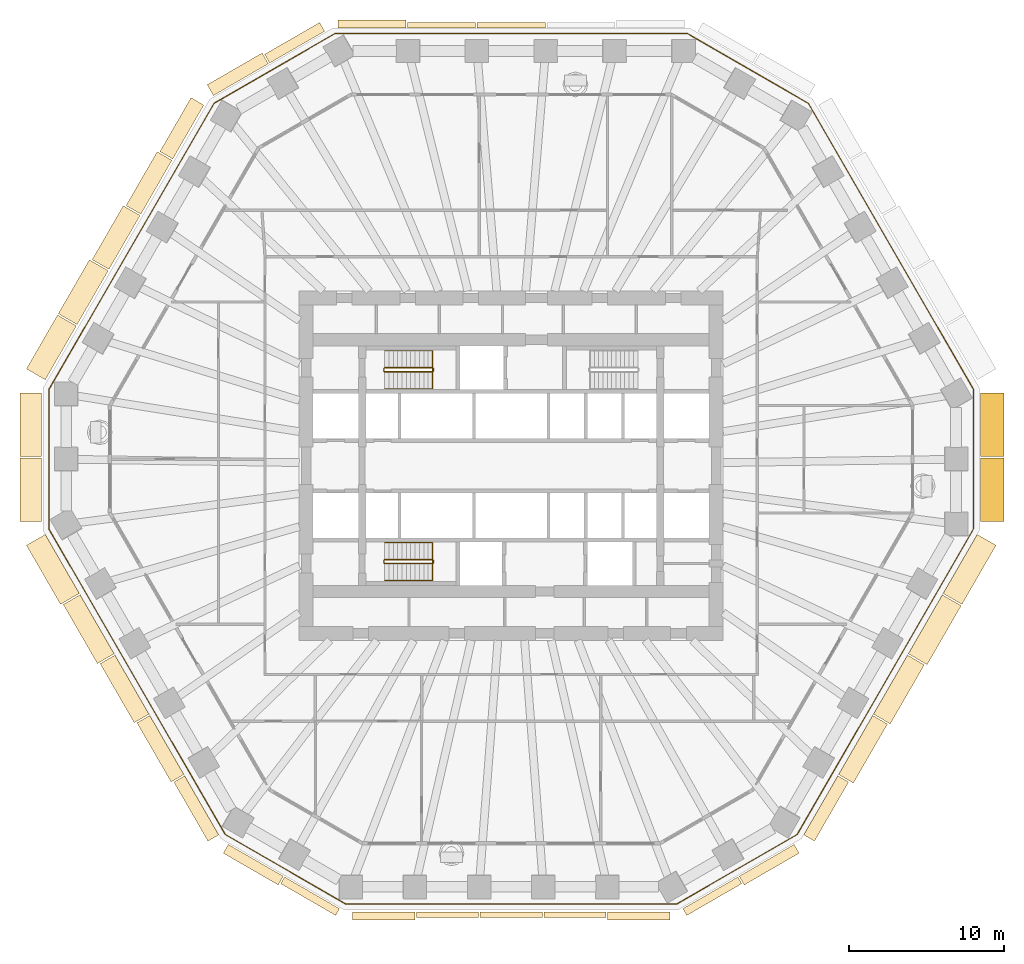
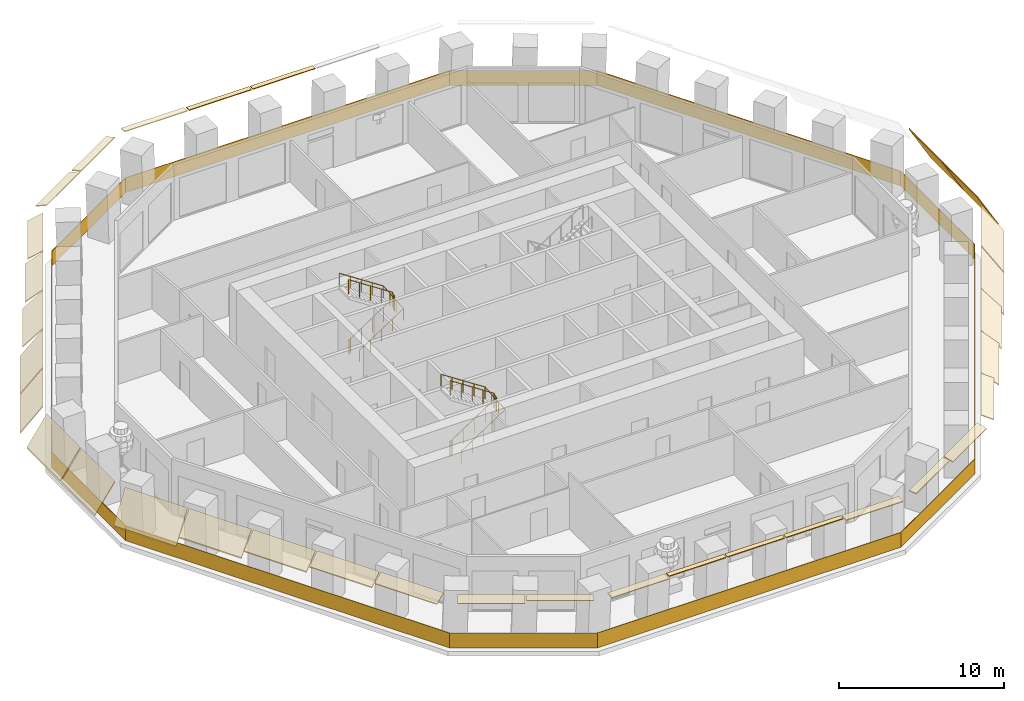
# One storey, part 10 of 13: 33 coverings, 5 railings.
"""IFC4 building model written with IfcOpenShell, lengths in metres."""

from ifc_helpers import new_model, si_unit, direction, frame, origin, origin_2d, place, context, subcontext, project, spatial, polyline, rectangle, circle, outline, extrude, material, layer, layer_set, type_object, element, save


model = new_model("IFC4")

# Units and contexts
model_context = context("Model", 3, precision=1e-05, world=origin(), true_north=direction((0.0, 1.0)))
body_context = subcontext(model_context, "Body", "Model", "MODEL_VIEW")
ifc_project = project(units=[si_unit("LENGTHUNIT", "METRE"), si_unit("AREAUNIT", "SQUARE_METRE"), si_unit("VOLUMEUNIT", "CUBIC_METRE"), si_unit("PLANEANGLEUNIT", "RADIAN"), si_unit("MASSUNIT", "GRAM", prefix="KILO")], contexts=[model_context])

# Site, building, storey
site_placement = place(None, origin())
site = spatial("IfcSite", under=ifc_project, at=site_placement, CompositionType="ELEMENT")
building_placement = place(site_placement, origin())
building = spatial("IfcBuilding", under=site, at=building_placement, Name="Frailejon Research Tower", CompositionType="ELEMENT")
storey_placement = place(building_placement, frame((0.0, 0.0, 27.800048828125)))
storey = spatial("IfcBuildingStorey", under=building, at=storey_placement, Name="L06", CompositionType="ELEMENT", Elevation=27.800048828125)

# Coverings
ifc_material_1 = material(Name="Precast concrete C50/60", Category="concrete")
ifc_layer_1 = layer(ifc_material_1, 0.06005859375)
ifc_layer_set_1 = layer_set([ifc_layer_1], Name="Brim blade depth 1100")
covering_type_1 = type_object("IfcCoveringType", Name="Brim blade depth 1100", PredefinedType="CLADDING", material=ifc_layer_set_1)
covering_1_placement = place(storey_placement, frame((-23.849853515625, 16.197021484375, 4.25), z_axis=(0.499993824204, 0.866028969353, 0.0), x_axis=(-0.866028969353, 0.499993824204, 0.0)))
element("IfcCovering", 1, at=covering_1_placement, inside=storey, type_object=covering_type_1, Name="Brim blade L06", PredefinedType="CLADDING", context=body_context, shape_type="SweptSolid", body=[
    extrude(outline(polyline([(0.0, -0.078369140625), (1.10009765625, -1.001220703125), (1.10009765625, -0.923095703125), (0.0, 0.0), (0.0, -0.078369140625)])), origin(), (0.0, 0.0, 1.0), 4.00439453125),
])
for number, where, z_axis, x_axis, name in (
    (2, (-23.324951171875, -15.999755859375, 4.25), (-0.50000023118, 0.866025270312, 0.0), (-0.866025270312, -0.50000023118, 0.0), "Brim blade L06"),
    (3, (23.27490234375, -16.08642578125, 4.25), (-0.50000023118, -0.866025270312, 0.0), (0.866025270312, -0.50000023118, 0.0), "Brim blade L06"),
):
    element("IfcCovering", number, at=place(storey_placement, frame(where, z_axis=z_axis, x_axis=x_axis)), inside=storey, type_object=covering_type_1, Name=name, PredefinedType="CLADDING", context=body_context, shape_type="SweptSolid", body=[
        extrude(outline(polyline([(0.0, -0.078369140625), (1.10009765625, -1.001220703125), (1.10009765625, -0.923095703125), (0.0, 0.0), (0.0, -0.078369140625)])), origin(), (0.0, 0.0, 1.0), 4.387451171875),
    ])
ifc_material_2 = material(Name="Precast concrete C50/60", Category="concrete")
ifc_layer_2 = layer(ifc_material_2, 0.06005859375)
ifc_layer_set_2 = layer_set([ifc_layer_2], Name="Brim blade depth 1250")
covering_type_2 = type_object("IfcCoveringType", Name="Brim blade depth 1250", PredefinedType="CLADDING", material=ifc_layer_set_2)
covering_2_placement = place(storey_placement, frame((-25.90185546875, 12.642578125, 4.25), z_axis=(0.50000437419, 0.86602287833, 0.0), x_axis=(-0.86602287833, 0.50000437419, 0.0)))
element("IfcCovering", 4, at=covering_2_placement, inside=storey, type_object=covering_type_2, Name="Brim blade L06", PredefinedType="CLADDING", context=body_context, shape_type="SweptSolid", body=[
    extrude(outline(polyline([(0.0, -0.0888671875), (1.25, -1.452880859375), (1.25, -1.364013671875), (0.0, 0.0), (0.0, -0.0888671875)])), origin(), (0.0, 0.0, 1.0), 4.004150390625),
])
for number, where, z_axis, x_axis, name in (
    (5, (-25.568603515625, -12.113525390625, 4.25), (-0.50000023118, 0.866025270312, 0.0), (-0.866025270312, -0.50000023118, 0.0), "Brim blade L06"),
    (6, (25.518798828125, -12.2001953125, 4.25), (-0.50000023118, -0.866025270312, 0.0), (0.866025270312, -0.50000023118, 0.0), "Brim blade L06"),
):
    element("IfcCovering", number, at=place(storey_placement, frame(where, z_axis=z_axis, x_axis=x_axis)), inside=storey, type_object=covering_type_2, Name=name, PredefinedType="CLADDING", context=body_context, shape_type="SweptSolid", body=[
        extrude(outline(polyline([(0.0, -0.0888671875), (1.25, -1.452880859375), (1.25, -1.364013671875), (0.0, 0.0), (0.0, -0.0888671875)])), origin(), (0.0, 0.0, 1.0), 4.387451171875),
    ])
ifc_material_3 = material(Name="Precast concrete C50/60", Category="concrete")
ifc_layer_3 = layer(ifc_material_3, 0.06005859375)
ifc_layer_set_3 = layer_set([ifc_layer_3], Name="Brim blade depth 1400")
covering_type_3 = type_object("IfcCoveringType", Name="Brim blade depth 1400", PredefinedType="CLADDING", material=ifc_layer_set_3)
covering_3_placement = place(storey_placement, frame((-27.9541015625, 9.08837890625, 4.25), z_axis=(0.499993824204, 0.866028969353, 0.0), x_axis=(-0.866028969353, 0.499993824204, 0.0)))
element("IfcCovering", 7, at=covering_3_placement, inside=storey, type_object=covering_type_3, Name="Brim blade L06", PredefinedType="CLADDING", context=body_context, shape_type="SweptSolid", body=[
    extrude(outline(polyline([(0.0, -0.1044921875), (1.39990234375, -2.10400390625), (1.39990234375, -1.99951171875), (0.0, 0.0), (0.0, -0.1044921875)])), origin(), (0.0, 0.0, 1.0), 4.00439453125),
])
covering_4_placement = place(storey_placement, frame((-30.006103515625, 5.533935546875, 4.25), z_axis=(0.50000437419, 0.86602287833, 0.0), x_axis=(-0.86602287833, 0.50000437419, 0.0)))
element("IfcCovering", 8, at=covering_4_placement, inside=storey, type_object=covering_type_3, Name="Brim blade L06", PredefinedType="CLADDING", context=body_context, shape_type="SweptSolid", body=[
    extrude(outline(polyline([(0.0, -0.1044921875), (1.39990234375, -2.10400390625), (1.39990234375, -1.99951171875), (0.0, 0.0), (0.0, -0.1044921875)])), origin(), (0.0, 0.0, 1.0), 4.004150390625),
])
for number, where, z_axis, x_axis, name in (
    (9, (-30.232177734375, 0.60302734375, 4.25), (0.0, 1.0, 0.0), (-1.0, 0.0, 0.0), "Brim blade L06"),
    (10, (-30.232177734375, -3.58447265625, 4.25), (0.0, 1.0, 0.0), (-1.0, 0.0, 0.0), "Brim blade L06"),
):
    element("IfcCovering", number, at=place(storey_placement, frame(where, z_axis=z_axis, x_axis=x_axis)), inside=storey, type_object=covering_type_3, Name=name, PredefinedType="CLADDING", context=body_context, shape_type="SweptSolid", body=[
        extrude(outline(polyline([(0.0, -0.1044921875), (1.39990234375, -2.10400390625), (1.39990234375, -1.99951171875), (0.0, 0.0), (0.0, -0.1044921875)])), origin(), (0.0, 0.0, 1.0), 4.087646484375),
    ])
for number, where, z_axis, x_axis, name in (
    (11, (-27.8125, -8.227294921875, 4.25), (-0.50000023118, 0.866025270312, 0.0), (-0.866025270312, -0.50000023118, 0.0), "Brim blade L06"),
    (12, (27.762451171875, -8.31396484375, 4.25), (-0.50000023118, -0.866025270312, 0.0), (0.866025270312, -0.50000023118, 0.0), "Brim blade L06"),
    (13, (30.006103515625, -4.427734375, 4.25), (-0.50000023118, -0.866025270312, 0.0), (0.866025270312, -0.50000023118, 0.0), "Brim blade L06"),
):
    element("IfcCovering", number, at=place(storey_placement, frame(where, z_axis=z_axis, x_axis=x_axis)), inside=storey, type_object=covering_type_3, Name=name, PredefinedType="CLADDING", context=body_context, shape_type="SweptSolid", body=[
        extrude(outline(polyline([(0.0, -0.1044921875), (1.39990234375, -2.10400390625), (1.39990234375, -1.99951171875), (0.0, 0.0), (0.0, -0.1044921875)])), origin(), (0.0, 0.0, 1.0), 4.387451171875),
    ])
ifc_material_4 = material(Name="Precast concrete C50/60", Category="concrete")
ifc_layer_4 = layer(ifc_material_4, 0.06005859375)
ifc_layer_set_4 = layer_set([ifc_layer_4], Name="Brim blade depth 1500")
covering_type_4 = type_object("IfcCoveringType", Name="Brim blade depth 1500", PredefinedType="CLADDING", material=ifc_layer_set_4)
for number, where, z_axis, x_axis, name in (
    (14, (30.232177734375, 0.503173828125, 4.25), (0.0, -1.0, 0.0), (1.0, 0.0, 0.0), "Brim blade L06"),
    (15, (30.232177734375, 4.690673828125, 4.25), (0.0, -1.0, 0.0), (1.0, 0.0, 0.0), "Brim blade L06"),
):
    element("IfcCovering", number, at=place(storey_placement, frame(where, z_axis=z_axis, x_axis=x_axis)), inside=storey, type_object=covering_type_4, Name=name, PredefinedType="CLADDING", context=body_context, shape_type="SweptSolid", body=[
        extrude(outline(polyline([(0.0, -0.1201171875), (1.5, -2.718017578125), (1.5, -2.59814453125), (0.0, 0.0), (0.0, -0.1201171875)])), origin(), (0.0, 0.0, 1.0), 4.087646484375),
    ])
ifc_material_5 = material(Name="Precast concrete C50/60", Category="concrete")
ifc_layer_5 = layer(ifc_material_5, 0.06005859375)
ifc_layer_set_5 = layer_set([ifc_layer_5], Name="Brim blade depth 350")
covering_type_5 = type_object("IfcCoveringType", Name="Brim blade depth 350", PredefinedType="CLADDING", material=ifc_layer_set_5)
for number, where, z_axis, x_axis, name in (
    (16, (-2.193603515625, 28.199951171875, 4.25), (1.0, 0.0, 0.0), (0.0, 1.0, 0.0), "Brim blade L06"),
    (17, (-6.68115234375, 28.199951171875, 4.25), (1.0, 0.0, 0.0), (0.0, 1.0, 0.0), "Brim blade L06"),
):
    element("IfcCovering", number, at=place(storey_placement, frame(where, z_axis=z_axis, x_axis=x_axis)), inside=storey, type_object=covering_type_5, Name=name, PredefinedType="CLADDING", context=body_context, shape_type="SweptSolid", body=[
        extrude(outline(polyline([(0.0, -0.06005859375), (0.35009765625, -0.06005859375), (0.35009765625, 0.0), (0.0, 0.0), (0.0, -0.06005859375)])), origin(), (0.0, 0.0, 1.0), 4.387451171875),
    ])
for number, where, z_axis, x_axis, name in (
    (18, (-2.10205078125, -28.753173828125, 4.25), (-1.0, 0.0, 0.0), (0.0, -1.0, 0.0), "Brim blade L06"),
    (19, (2.002197265625, -28.753173828125, 4.25), (-1.0, 0.0, 0.0), (0.0, -1.0, 0.0), "Brim blade L06"),
    (20, (6.106201171875, -28.753173828125, 4.25), (-1.0, 0.0, 0.0), (0.0, -1.0, 0.0), "Brim blade L06"),
):
    element("IfcCovering", number, at=place(storey_placement, frame(where, z_axis=z_axis, x_axis=x_axis)), inside=storey, type_object=covering_type_5, Name=name, PredefinedType="CLADDING", context=body_context, shape_type="SweptSolid", body=[
        extrude(outline(polyline([(0.0, -0.06005859375), (0.35009765625, -0.06005859375), (0.35009765625, 0.0), (0.0, 0.0), (0.0, -0.06005859375)])), origin(), (0.0, 0.0, 1.0), 4.004150390625),
    ])
ifc_material_6 = material(Name="Precast concrete C50/60", Category="concrete")
ifc_layer_6 = layer(ifc_material_6, 0.06005859375)
ifc_layer_set_6 = layer_set([ifc_layer_6], Name="Brim blade depth 500")
covering_type_6 = type_object("IfcCoveringType", Name="Brim blade depth 500", PredefinedType="CLADDING", material=ifc_layer_set_6)
covering_5_placement = place(storey_placement, frame((-11.16845703125, 28.199951171875, 4.25), z_axis=(1.0, 0.0, 0.0), x_axis=(0.0, 1.0, 0.0)))
element("IfcCovering", 21, at=covering_5_placement, inside=storey, type_object=covering_type_6, Name="Brim blade L06", PredefinedType="CLADDING", context=body_context, shape_type="SweptSolid", body=[
    extrude(outline(polyline([(0.0, -0.060546875), (0.5, -0.130859375), (0.5, -0.0703125), (0.0, 0.0), (0.0, -0.060546875)])), origin(), (0.0, 0.0, 1.0), 4.387451171875),
])
covering_6_placement = place(storey_placement, frame((-11.0537109375, -28.527099609375, 4.25), z_axis=(-0.866027315287, 0.499996689166, 0.0), x_axis=(-0.499996689166, -0.866027315287, 0.0)))
element("IfcCovering", 22, at=covering_6_placement, inside=storey, type_object=covering_type_6, Name="Brim blade L06", PredefinedType="CLADDING", context=body_context, shape_type="SweptSolid", body=[
    extrude(outline(polyline([(0.0, -0.060546875), (0.5, -0.130859375), (0.5, -0.0703125), (0.0, 0.0), (0.0, -0.060546875)])), origin(), (0.0, 0.0, 1.0), 4.087646484375),
])
for number, where, z_axis, x_axis, name in (
    (23, (-6.206298828125, -28.753173828125, 4.25), (-1.0, 0.0, 0.0), (0.0, -1.0, 0.0), "Brim blade L06"),
    (24, (10.21044921875, -28.753173828125, 4.25), (-1.0, 0.0, 0.0), (0.0, -1.0, 0.0), "Brim blade L06"),
):
    element("IfcCovering", number, at=place(storey_placement, frame(where, z_axis=z_axis, x_axis=x_axis)), inside=storey, type_object=covering_type_6, Name=name, PredefinedType="CLADDING", context=body_context, shape_type="SweptSolid", body=[
        extrude(outline(polyline([(0.0, -0.060546875), (0.5, -0.130859375), (0.5, -0.0703125), (0.0, 0.0), (0.0, -0.060546875)])), origin(), (0.0, 0.0, 1.0), 4.004150390625),
    ])
covering_7_placement = place(storey_placement, frame((14.59375, -26.4833984375, 4.25), z_axis=(-0.866027315287, -0.499996689166, 0.0), x_axis=(0.499996689166, -0.866027315287, 0.0)))
element("IfcCovering", 25, at=covering_7_placement, inside=storey, type_object=covering_type_6, Name="Brim blade L06", PredefinedType="CLADDING", context=body_context, shape_type="SweptSolid", body=[
    extrude(outline(polyline([(0.0, -0.060546875), (0.5, -0.130859375), (0.5, -0.0703125), (0.0, 0.0), (0.0, -0.060546875)])), origin(), (0.0, 0.0, 1.0), 4.087646484375),
])
ifc_material_7 = material(Name="Precast concrete C50/60", Category="concrete")
ifc_layer_7 = layer(ifc_material_7, 0.06005859375)
ifc_layer_set_7 = layer_set([ifc_layer_7], Name="Brim blade depth 650")
covering_type_7 = type_object("IfcCoveringType", Name="Brim blade depth 650", PredefinedType="CLADDING", material=ifc_layer_set_7)
covering_8_placement = place(storey_placement, frame((-15.5517578125, 25.93017578125, 4.25), z_axis=(0.866027315287, 0.499996689166, 0.0), x_axis=(-0.499996689166, 0.866027315287, 0.0)))
element("IfcCovering", 26, at=covering_8_placement, inside=storey, type_object=covering_type_7, Name="Brim blade L06", PredefinedType="CLADDING", context=body_context, shape_type="SweptSolid", body=[
    extrude(outline(polyline([(0.0, -0.0625), (0.64990234375, -0.248779296875), (0.64990234375, -0.186279296875), (0.0, 0.0), (0.0, -0.0625)])), origin(), (0.0, 0.0, 1.0), 4.087646484375),
])
for number, where, z_axis, x_axis, name in (
    (27, (-14.680419921875, -26.433349609375, 4.25), (-0.866021344981, 0.500007029989, 0.0), (-0.500007029989, -0.866021344981, 0.0), "Brim blade L06"),
    (28, (18.22021484375, -24.389404296875, 4.25), (-0.866021344981, -0.500007029989, 0.0), (0.500007029989, -0.866021344981, 0.0), "Brim blade L06"),
):
    element("IfcCovering", number, at=place(storey_placement, frame(where, z_axis=z_axis, x_axis=x_axis)), inside=storey, type_object=covering_type_7, Name=name, PredefinedType="CLADDING", context=body_context, shape_type="SweptSolid", body=[
        extrude(outline(polyline([(0.0, -0.0625), (0.64990234375, -0.248779296875), (0.64990234375, -0.186279296875), (0.0, 0.0), (0.0, -0.0625)])), origin(), (0.0, 0.0, 1.0), 4.08740234375),
    ])
ifc_material_8 = material(Name="Precast concrete C50/60", Category="concrete")
ifc_layer_8 = layer(ifc_material_8, 0.06005859375)
ifc_layer_set_8 = layer_set([ifc_layer_8], Name="Brim blade depth 800")
covering_type_8 = type_object("IfcCoveringType", Name="Brim blade depth 800", PredefinedType="CLADDING", material=ifc_layer_set_8)
covering_9_placement = place(storey_placement, frame((-19.17822265625, 23.83642578125, 4.25), z_axis=(0.866021344981, 0.500007029989, 0.0), x_axis=(-0.500007029989, 0.866021344981, 0.0)))
element("IfcCovering", 29, at=covering_9_placement, inside=storey, type_object=covering_type_8, Name="Brim blade L06", PredefinedType="CLADDING", context=body_context, shape_type="SweptSolid", body=[
    extrude(outline(polyline([(0.0, -0.065673828125), (0.800048828125, -0.421875), (0.800048828125, -0.356201171875), (0.0, 0.0), (0.0, -0.065673828125)])), origin(), (0.0, 0.0, 1.0), 4.08740234375),
])
for number, where, z_axis, x_axis, name in (
    (30, (-18.837646484375, -23.772216796875, 4.25), (-0.50000023118, 0.866025270312, 0.0), (-0.866025270312, -0.50000023118, 0.0), "Brim blade L06"),
    (31, (21.03125, -19.97265625, 4.25), (-0.50000023118, -0.866025270312, 0.0), (0.866025270312, -0.50000023118, 0.0), "Brim blade L06"),
):
    element("IfcCovering", number, at=place(storey_placement, frame(where, z_axis=z_axis, x_axis=x_axis)), inside=storey, type_object=covering_type_8, Name=name, PredefinedType="CLADDING", context=body_context, shape_type="SweptSolid", body=[
        extrude(outline(polyline([(0.0, -0.065673828125), (0.800048828125, -0.421875), (0.800048828125, -0.356201171875), (0.0, 0.0), (0.0, -0.065673828125)])), origin(), (0.0, 0.0, 1.0), 4.387451171875),
    ])
ifc_material_9 = material(Name="Precast concrete C50/60", Category="concrete")
ifc_layer_9 = layer(ifc_material_9, 0.06005859375)
ifc_layer_set_9 = layer_set([ifc_layer_9], Name="Brim blade depth 950")
covering_type_9 = type_object("IfcCoveringType", Name="Brim blade depth 950", PredefinedType="CLADDING", material=ifc_layer_set_9)
covering_10_placement = place(storey_placement, frame((-21.797607421875, 19.75146484375, 4.25), z_axis=(0.50000437419, 0.86602287833, 0.0), x_axis=(-0.86602287833, 0.50000437419, 0.0)))
element("IfcCovering", 32, at=covering_10_placement, inside=storey, type_object=covering_type_9, Name="Brim blade L06", PredefinedType="CLADDING", context=body_context, shape_type="SweptSolid", body=[
    extrude(outline(polyline([(0.0, -0.07080078125), (0.949951171875, -0.664306640625), (0.949951171875, -0.593505859375), (0.0, 0.0), (0.0, -0.07080078125)])), origin(), (0.0, 0.0, 1.0), 4.004150390625),
])
covering_11_placement = place(storey_placement, frame((-21.081298828125, -19.885986328125, 4.25), z_axis=(-0.50000023118, 0.866025270312, 0.0), x_axis=(-0.866025270312, -0.50000023118, 0.0)))
element("IfcCovering", 33, at=covering_11_placement, inside=storey, type_object=covering_type_9, Name="Brim blade L06", PredefinedType="CLADDING", context=body_context, shape_type="SweptSolid", body=[
    extrude(outline(polyline([(0.0, -0.07080078125), (0.949951171875, -0.664306640625), (0.949951171875, -0.593505859375), (0.0, 0.0), (0.0, -0.07080078125)])), origin(), (0.0, 0.0, 1.0), 4.387451171875),
])

# Railings
ifc_material_10 = material(Name="Laminated glass balustrade", Category="glass")
railing_type_1 = type_object("IfcRailingType", Name="Glass guard 1100", PredefinedType="GUARDRAIL", material=ifc_material_10)
railing_1_placement = place(storey_placement, frame((29.773193359375, -4.072998046875, 0.0)))
element("IfcRailing", 34, at=railing_1_placement, inside=storey, type_object=railing_type_1, Name="Loggia guard L06", PredefinedType="GUARDRAIL", context=body_context, shape_type="SweptSolid", body=[
    extrude(rectangle(XDim=8.9755859375, YDim=0.030029296875, at=origin_2d()), frame((0.0, 4.48779296875, 0.0), z_axis=(0.0, 0.0, 1.0), x_axis=(0.0, 1.0, 0.0)), (0.0, 0.0, 1.0), 1.10009765625),
    extrude(rectangle(XDim=21.28173828125, YDim=0.030029296875, at=origin_2d()), frame((-5.3203125, 18.19091796875, 0.0), z_axis=(0.0, 0.0, 1.0), x_axis=(-0.500002158106, 0.866024157798, 0.0)), (0.0, 0.0, 1.0), 1.10009765625),
    extrude(rectangle(XDim=8.9755859375, YDim=0.030029296875, at=origin_2d()), frame((-14.52734375, 29.64990234375, 0.0), z_axis=(0.0, 0.0, 1.0), x_axis=(-0.866028409771, 0.499994793442, 0.0)), (0.0, 0.0, 1.0), 1.10009765625),
    extrude(rectangle(XDim=22.71826171875, YDim=0.030029296875, at=origin_2d()), frame((-29.773193359375, 31.893798828125, 0.0), z_axis=(0.0, 0.0, 1.0), x_axis=(-1.0, 0.0, 0.0)), (0.0, 0.0, 1.0), 1.10009765625),
    extrude(rectangle(XDim=8.9755859375, YDim=0.030029296875, at=origin_2d()), frame((-45.01904296875, 29.64990234375, 0.0), z_axis=(0.0, 0.0, 1.0), x_axis=(-0.866028409771, -0.499994793442, 0.0)), (0.0, 0.0, 1.0), 1.10009765625),
    extrude(rectangle(XDim=21.28173828125, YDim=0.030029296875, at=origin_2d()), frame((-54.22607421875, 18.19091796875, 0.0), z_axis=(0.0, 0.0, 1.0), x_axis=(-0.500002158106, -0.866024157798, 0.0)), (0.0, 0.0, 1.0), 1.10009765625),
    extrude(rectangle(XDim=8.9755859375, YDim=0.030029296875, at=origin_2d()), frame((-59.54638671875, 4.48779296875, 0.0), z_axis=(0.0, 0.0, 1.0), x_axis=(0.0, -1.0, 0.0)), (0.0, 0.0, 1.0), 1.10009765625),
    extrude(rectangle(XDim=22.718505859375, YDim=0.030029296875, at=origin_2d()), frame((-53.86669921875, -9.83740234375, 0.0), z_axis=(0.0, 0.0, 1.0), x_axis=(0.500004001702, -0.866023093388, 0.0)), (0.0, 0.0, 1.0), 1.10009765625),
    extrude(rectangle(XDim=8.9755859375, YDim=0.030029296875, at=origin_2d()), frame((-44.30029296875, -21.918701171875, 0.0), z_axis=(0.0, 0.0, 1.0), x_axis=(0.866028409771, -0.499994793442, 0.0)), (0.0, 0.0, 1.0), 1.10009765625),
    extrude(rectangle(XDim=21.28125, YDim=0.030029296875, at=origin_2d()), frame((-29.773193359375, -24.16259765625, 0.0), z_axis=(0.0, 0.0, 1.0), x_axis=(1.0, 0.0, 0.0)), (0.0, 0.0, 1.0), 1.10009765625),
    extrude(rectangle(XDim=8.9755859375, YDim=0.030029296875, at=origin_2d()), frame((-15.24609375, -21.918701171875, 0.0), z_axis=(0.0, 0.0, 1.0), x_axis=(0.866028409771, 0.499994793442, 0.0)), (0.0, 0.0, 1.0), 1.10009765625),
    extrude(rectangle(XDim=22.6484375, YDim=0.030029296875, at=origin_2d()), frame((-5.697265625, -9.86767578125, 0.0), z_axis=(0.0, 0.0, 1.0), x_axis=(0.500002075536, 0.86602420547, 0.0)), (0.0, 0.0, 1.0), 1.10009765625),
])
ifc_material_11 = material(Name="Stainless steel", Category="steel")
railing_type_2 = type_object("IfcRailingType", Name="Stair guard 1100", PredefinedType="GUARDRAIL", material=ifc_material_11)
railing_2_placement = place(storey_placement, frame((-8.199951171875, 6.25, 0.0)))
element("IfcRailing", 35, at=railing_2_placement, inside=storey, type_object=railing_type_2, Name="L06 ST1 stair guard 1", PredefinedType="GUARDRAIL", context=body_context, shape_type="SweptSolid", body=[
    extrude(circle(Radius=0.02392578125, at=origin_2d()), frame((0.0, 0.0, 1.076171875), z_axis=(0.0, -1.0, 0.0), x_axis=(1.0, 0.0, 0.0)), (0.0, 0.0, 1.0), 0.14990234375),
    extrude(circle(Radius=0.02392578125, at=origin_2d()), frame((0.0, -0.14990234375, 1.076171875), z_axis=(0.254653276557, -0.254653276557, 0.932900539971), x_axis=(0.707106781187, 0.707106781187, 0.0)), (0.0, 0.0, 1.0), 0.196533203125),
    extrude(circle(Radius=0.02392578125, at=origin_2d()), frame((0.050048828125, -0.199951171875, 1.25927734375), z_axis=(0.836613101238, 0.0, 0.547794230379), x_axis=(0.0, 1.0, 0.0)), (0.0, 0.0, 1.0), 3.681396484375),
    extrude(circle(Radius=0.02392578125, at=origin_2d()), frame((3.1298828125, -0.199951171875, 3.27587890625), z_axis=(0.707106781187, 0.707106781187, 0.0), x_axis=(-0.707106781187, 0.707106781187, 0.0)), (0.0, 0.0, 1.0), 0.07080078125),
    extrude(circle(Radius=0.02392578125, at=origin_2d()), frame((3.179931640625, -0.14990234375, 3.27587890625), z_axis=(0.0, 1.0, 0.0), x_axis=(-1.0, 0.0, 0.0)), (0.0, 0.0, 1.0), 0.14990234375),
    extrude(circle(Radius=0.02392578125, at=origin_2d()), frame((3.179931640625, 0.0, 3.27587890625), z_axis=(-0.254653276557, 0.254653276557, 0.932900539971), x_axis=(-0.707106781187, -0.707106781187, 0.0)), (0.0, 0.0, 1.0), 0.196533203125),
    extrude(circle(Radius=0.02392578125, at=origin_2d()), frame((3.1298828125, 0.050048828125, 3.45947265625), z_axis=(-0.836613101238, 0.0, 0.547794230379), x_axis=(0.0, -1.0, 0.0)), (0.0, 0.0, 1.0), 3.681396484375),
    extrude(circle(Radius=0.02099609375, at=origin_2d()), origin(), (0.0, 0.0, 1.0), 1.052001953125),
    extrude(circle(Radius=0.02099609375, at=origin_2d()), frame((0.0, -0.14990234375, 0.0)), (0.0, 0.0, 1.0), 1.052001953125),
    extrude(circle(Radius=0.02099609375, at=origin_2d()), frame((0.050048828125, -0.199951171875, 0.183349609375)), (0.0, 0.0, 1.0), 1.052001953125),
    extrude(circle(Radius=0.02099609375, at=origin_2d()), frame((0.820068359375, -0.199951171875, 0.6875)), (0.0, 0.0, 1.0), 1.052001953125),
    extrude(circle(Radius=0.02099609375, at=origin_2d()), frame((1.58984375, -0.199951171875, 1.191650390625)), (0.0, 0.0, 1.0), 1.052001953125),
    extrude(circle(Radius=0.02099609375, at=origin_2d()), frame((2.35986328125, -0.199951171875, 1.69580078125)), (0.0, 0.0, 1.0), 1.052001953125),
    extrude(circle(Radius=0.02099609375, at=origin_2d()), frame((3.1298828125, -0.199951171875, 2.199951171875)), (0.0, 0.0, 1.0), 1.052001953125),
    extrude(circle(Radius=0.02099609375, at=origin_2d()), frame((3.179931640625, -0.14990234375, 2.199951171875)), (0.0, 0.0, 1.0), 1.052001953125),
    extrude(circle(Radius=0.02099609375, at=origin_2d()), frame((3.179931640625, 0.0, 2.199951171875)), (0.0, 0.0, 1.0), 1.052001953125),
    extrude(circle(Radius=0.02099609375, at=origin_2d()), frame((3.1298828125, 0.050048828125, 2.38330078125)), (0.0, 0.0, 1.0), 1.052001953125),
    extrude(circle(Radius=0.02099609375, at=origin_2d()), frame((2.35986328125, 0.050048828125, 2.887451171875)), (0.0, 0.0, 1.0), 1.052001953125),
    extrude(circle(Radius=0.02099609375, at=origin_2d()), frame((1.58984375, 0.050048828125, 3.3916015625)), (0.0, 0.0, 1.0), 1.052001953125),
    extrude(circle(Radius=0.02099609375, at=origin_2d()), frame((0.820068359375, 0.050048828125, 3.895751953125)), (0.0, 0.0, 1.0), 1.052001953125),
    extrude(circle(Radius=0.02099609375, at=origin_2d()), frame((0.050048828125, 0.050048828125, 4.39990234375)), (0.0, 0.0, 1.0), 1.052001953125),
])
railing_3_placement = place(storey_placement, frame((-8.199951171875, -6.10009765625, 0.0)))
element("IfcRailing", 36, at=railing_3_placement, inside=storey, type_object=railing_type_2, Name="L06 ST2 stair guard 1", PredefinedType="GUARDRAIL", context=body_context, shape_type="SweptSolid", body=[
    extrude(circle(Radius=0.02392578125, at=origin_2d()), frame((0.0, 0.0, 1.076171875), z_axis=(0.0, -1.0, 0.0), x_axis=(1.0, 0.0, 0.0)), (0.0, 0.0, 1.0), 0.14990234375),
    extrude(circle(Radius=0.02392578125, at=origin_2d()), frame((0.0, -0.14990234375, 1.076171875), z_axis=(0.254653276557, -0.254653276557, 0.932900539971), x_axis=(0.707106781187, 0.707106781187, 0.0)), (0.0, 0.0, 1.0), 0.196533203125),
    extrude(circle(Radius=0.02392578125, at=origin_2d()), frame((0.050048828125, -0.199951171875, 1.25927734375), z_axis=(0.836613101238, 0.0, 0.547794230379), x_axis=(0.0, 1.0, 0.0)), (0.0, 0.0, 1.0), 3.681396484375),
    extrude(circle(Radius=0.02392578125, at=origin_2d()), frame((3.1298828125, -0.199951171875, 3.27587890625), z_axis=(0.707106781187, 0.707106781187, 0.0), x_axis=(-0.707106781187, 0.707106781187, 0.0)), (0.0, 0.0, 1.0), 0.07080078125),
    extrude(circle(Radius=0.02392578125, at=origin_2d()), frame((3.179931640625, -0.14990234375, 3.27587890625), z_axis=(0.0, 1.0, 0.0), x_axis=(-1.0, 0.0, 0.0)), (0.0, 0.0, 1.0), 0.14990234375),
    extrude(circle(Radius=0.02392578125, at=origin_2d()), frame((3.179931640625, 0.0, 3.27587890625), z_axis=(-0.254653276557, 0.254653276557, 0.932900539971), x_axis=(-0.707106781187, -0.707106781187, 0.0)), (0.0, 0.0, 1.0), 0.196533203125),
    extrude(circle(Radius=0.02392578125, at=origin_2d()), frame((3.1298828125, 0.050048828125, 3.45947265625), z_axis=(-0.836613101238, 0.0, 0.547794230379), x_axis=(0.0, -1.0, 0.0)), (0.0, 0.0, 1.0), 3.681396484375),
    extrude(circle(Radius=0.02099609375, at=origin_2d()), origin(), (0.0, 0.0, 1.0), 1.052001953125),
    extrude(circle(Radius=0.02099609375, at=origin_2d()), frame((0.0, -0.14990234375, 0.0)), (0.0, 0.0, 1.0), 1.052001953125),
    extrude(circle(Radius=0.02099609375, at=origin_2d()), frame((0.050048828125, -0.199951171875, 0.183349609375)), (0.0, 0.0, 1.0), 1.052001953125),
    extrude(circle(Radius=0.02099609375, at=origin_2d()), frame((0.820068359375, -0.199951171875, 0.6875)), (0.0, 0.0, 1.0), 1.052001953125),
    extrude(circle(Radius=0.02099609375, at=origin_2d()), frame((1.58984375, -0.199951171875, 1.191650390625)), (0.0, 0.0, 1.0), 1.052001953125),
    extrude(circle(Radius=0.02099609375, at=origin_2d()), frame((2.35986328125, -0.199951171875, 1.69580078125)), (0.0, 0.0, 1.0), 1.052001953125),
    extrude(circle(Radius=0.02099609375, at=origin_2d()), frame((3.1298828125, -0.199951171875, 2.199951171875)), (0.0, 0.0, 1.0), 1.052001953125),
    extrude(circle(Radius=0.02099609375, at=origin_2d()), frame((3.179931640625, -0.14990234375, 2.199951171875)), (0.0, 0.0, 1.0), 1.052001953125),
    extrude(circle(Radius=0.02099609375, at=origin_2d()), frame((3.179931640625, 0.0, 2.199951171875)), (0.0, 0.0, 1.0), 1.052001953125),
    extrude(circle(Radius=0.02099609375, at=origin_2d()), frame((3.1298828125, 0.050048828125, 2.38330078125)), (0.0, 0.0, 1.0), 1.052001953125),
    extrude(circle(Radius=0.02099609375, at=origin_2d()), frame((2.35986328125, 0.050048828125, 2.887451171875)), (0.0, 0.0, 1.0), 1.052001953125),
    extrude(circle(Radius=0.02099609375, at=origin_2d()), frame((1.58984375, 0.050048828125, 3.3916015625)), (0.0, 0.0, 1.0), 1.052001953125),
    extrude(circle(Radius=0.02099609375, at=origin_2d()), frame((0.820068359375, 0.050048828125, 3.895751953125)), (0.0, 0.0, 1.0), 1.052001953125),
    extrude(circle(Radius=0.02099609375, at=origin_2d()), frame((0.050048828125, 0.050048828125, 4.39990234375)), (0.0, 0.0, 1.0), 1.052001953125),
])
ifc_material_12 = material(Name="Stainless steel", Category="steel")
railing_type_3 = type_object("IfcRailingType", Name="Stair handrail 900", PredefinedType="HANDRAIL", material=ifc_material_12)
railing_4_placement = place(storey_placement, frame((-8.14990234375, 4.949951171875, 0.183349609375)))
element("IfcRailing", 37, at=railing_4_placement, inside=storey, type_object=railing_type_3, Name="L06 ST1 stair handrail 1", PredefinedType="HANDRAIL", context=body_context, shape_type="SweptSolid", body=[
    extrude(circle(Radius=0.02392578125, at=origin_2d()), frame((0.0, 0.0, 0.8759765625), z_axis=(0.836613101238, 0.0, 0.547794230379), x_axis=(0.0, 1.0, 0.0)), (0.0, 0.0, 1.0), 3.681396484375),
    extrude(circle(Radius=0.02392578125, at=origin_2d()), frame((3.079833984375, 0.0, 2.892578125), z_axis=(0.0, 0.99721134034, 0.074629368868), x_axis=(-1.0, 0.0, 0.0)), (0.0, 0.0, 1.0), 2.456787109375),
    extrude(circle(Radius=0.02392578125, at=origin_2d()), frame((3.079833984375, 2.449951171875, 3.07568359375), z_axis=(-0.836613101238, 0.0, 0.547794230379), x_axis=(0.0, -1.0, 0.0)), (0.0, 0.0, 1.0), 3.681396484375),
    extrude(circle(Radius=0.02099609375, at=origin_2d()), origin(), (0.0, 0.0, 1.0), 0.851806640625),
    extrude(circle(Radius=0.02099609375, at=origin_2d()), frame((0.77001953125, 0.0, 0.504150390625)), (0.0, 0.0, 1.0), 0.851806640625),
    extrude(circle(Radius=0.02099609375, at=origin_2d()), frame((1.5400390625, 0.0, 1.00830078125)), (0.0, 0.0, 1.0), 0.851806640625),
    extrude(circle(Radius=0.02099609375, at=origin_2d()), frame((2.309814453125, 0.0, 1.512451171875)), (0.0, 0.0, 1.0), 0.851806640625),
    extrude(circle(Radius=0.02099609375, at=origin_2d()), frame((3.079833984375, 0.0, 2.0166015625)), (0.0, 0.0, 1.0), 0.851806640625),
    extrude(circle(Radius=0.02099609375, at=origin_2d()), frame((3.079833984375, 0.816650390625, 2.07763671875)), (0.0, 0.0, 1.0), 0.851806640625),
    extrude(circle(Radius=0.02099609375, at=origin_2d()), frame((3.079833984375, 1.63330078125, 2.138916015625)), (0.0, 0.0, 1.0), 0.851806640625),
    extrude(circle(Radius=0.02099609375, at=origin_2d()), frame((3.079833984375, 2.449951171875, 2.199951171875)), (0.0, 0.0, 1.0), 0.851806640625),
    extrude(circle(Radius=0.02099609375, at=origin_2d()), frame((2.309814453125, 2.449951171875, 2.7041015625)), (0.0, 0.0, 1.0), 0.851806640625),
    extrude(circle(Radius=0.02099609375, at=origin_2d()), frame((1.5400390625, 2.449951171875, 3.208251953125)), (0.0, 0.0, 1.0), 0.851806640625),
    extrude(circle(Radius=0.02099609375, at=origin_2d()), frame((0.77001953125, 2.449951171875, 3.71240234375)), (0.0, 0.0, 1.0), 0.851806640625),
    extrude(circle(Radius=0.02099609375, at=origin_2d()), frame((0.0, 2.449951171875, 4.216552734375)), (0.0, 0.0, 1.0), 0.851806640625),
])
railing_5_placement = place(storey_placement, frame((-8.14990234375, -7.39990234375, 0.183349609375)))
element("IfcRailing", 38, at=railing_5_placement, inside=storey, type_object=railing_type_3, Name="L06 ST2 stair handrail 1", PredefinedType="HANDRAIL", context=body_context, shape_type="SweptSolid", body=[
    extrude(circle(Radius=0.02392578125, at=origin_2d()), frame((0.0, 0.0, 0.8759765625), z_axis=(0.836613101238, 0.0, 0.547794230379), x_axis=(0.0, 1.0, 0.0)), (0.0, 0.0, 1.0), 3.681396484375),
    extrude(circle(Radius=0.02392578125, at=origin_2d()), frame((3.079833984375, 0.0, 2.892578125), z_axis=(0.0, 0.99721134034, 0.074629368868), x_axis=(-1.0, 0.0, 0.0)), (0.0, 0.0, 1.0), 2.456787109375),
    extrude(circle(Radius=0.02392578125, at=origin_2d()), frame((3.079833984375, 2.449951171875, 3.07568359375), z_axis=(-0.836613101238, 0.0, 0.547794230379), x_axis=(0.0, -1.0, 0.0)), (0.0, 0.0, 1.0), 3.681396484375),
    extrude(circle(Radius=0.02099609375, at=origin_2d()), origin(), (0.0, 0.0, 1.0), 0.851806640625),
    extrude(circle(Radius=0.02099609375, at=origin_2d()), frame((0.77001953125, 0.0, 0.504150390625)), (0.0, 0.0, 1.0), 0.851806640625),
    extrude(circle(Radius=0.02099609375, at=origin_2d()), frame((1.5400390625, 0.0, 1.00830078125)), (0.0, 0.0, 1.0), 0.851806640625),
    extrude(circle(Radius=0.02099609375, at=origin_2d()), frame((2.309814453125, 0.0, 1.512451171875)), (0.0, 0.0, 1.0), 0.851806640625),
    extrude(circle(Radius=0.02099609375, at=origin_2d()), frame((3.079833984375, 0.0, 2.0166015625)), (0.0, 0.0, 1.0), 0.851806640625),
    extrude(circle(Radius=0.02099609375, at=origin_2d()), frame((3.079833984375, 0.816650390625, 2.07763671875)), (0.0, 0.0, 1.0), 0.851806640625),
    extrude(circle(Radius=0.02099609375, at=origin_2d()), frame((3.079833984375, 1.63330078125, 2.138916015625)), (0.0, 0.0, 1.0), 0.851806640625),
    extrude(circle(Radius=0.02099609375, at=origin_2d()), frame((3.079833984375, 2.449951171875, 2.199951171875)), (0.0, 0.0, 1.0), 0.851806640625),
    extrude(circle(Radius=0.02099609375, at=origin_2d()), frame((2.309814453125, 2.449951171875, 2.7041015625)), (0.0, 0.0, 1.0), 0.851806640625),
    extrude(circle(Radius=0.02099609375, at=origin_2d()), frame((1.5400390625, 2.449951171875, 3.208251953125)), (0.0, 0.0, 1.0), 0.851806640625),
    extrude(circle(Radius=0.02099609375, at=origin_2d()), frame((0.77001953125, 2.449951171875, 3.71240234375)), (0.0, 0.0, 1.0), 0.851806640625),
    extrude(circle(Radius=0.02099609375, at=origin_2d()), frame((0.0, 2.449951171875, 4.216552734375)), (0.0, 0.0, 1.0), 0.851806640625),
])

save(model, "model.ifc")
